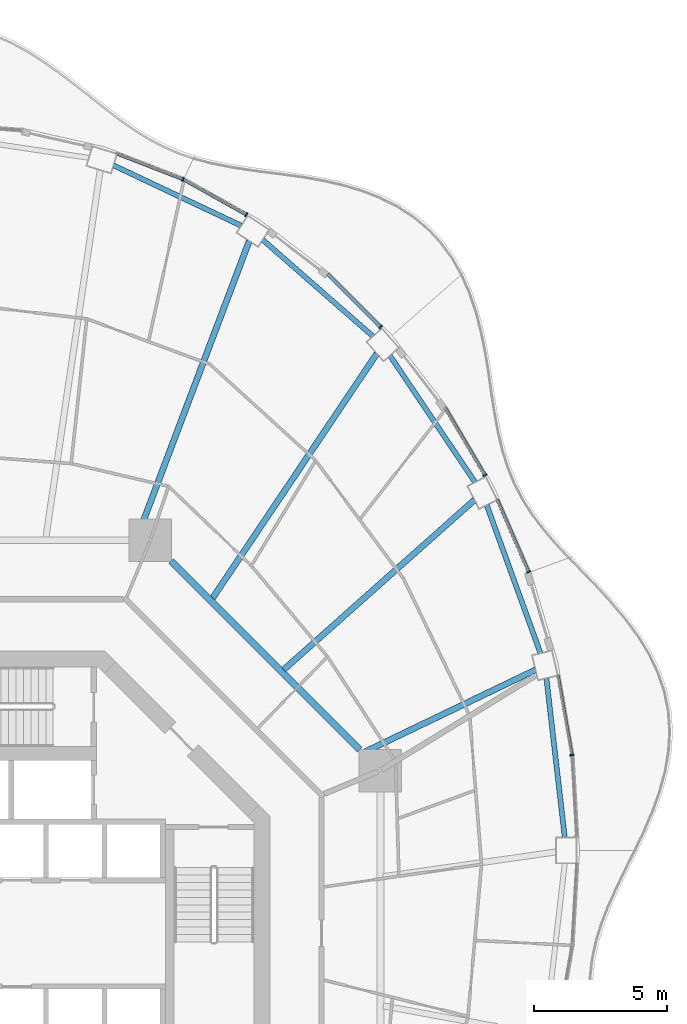
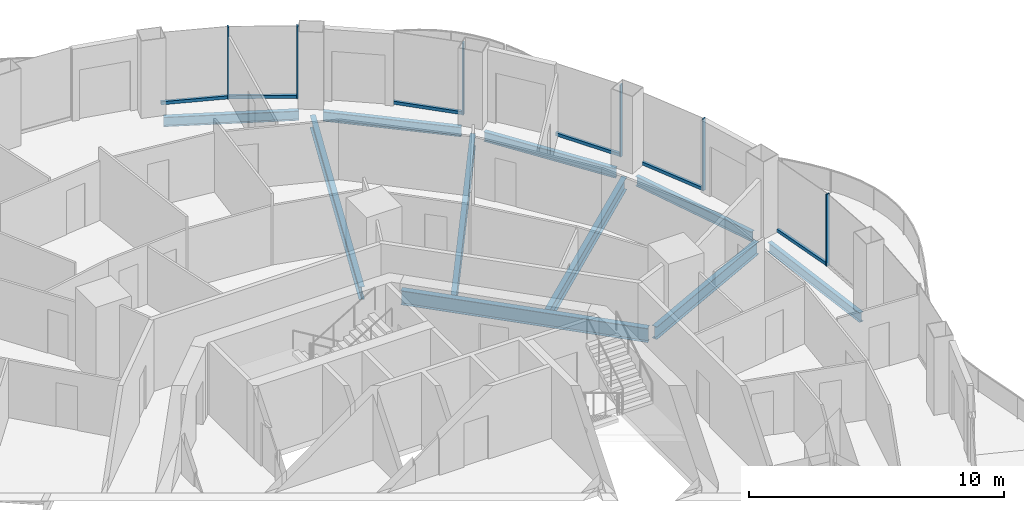
# One storey, part 7 of 18: 12 members, 10 beams, 6 elements without a shape of their own.
"""IFC4 building model written with IfcOpenShell, lengths in metres."""

from ifc_helpers import new_model, si_unit, direction, frame, origin, origin_2d, place, context, subcontext, project, spatial, rectangle, i_section, extrude, material, layer, layer_set, material_profile, profile_set, type_object, element, aggregate, save


model = new_model("IFC4")

# Units and contexts
model_context = context("Model", 3, precision=1e-05, world=origin(), true_north=direction((0.0, 1.0)))
body_context = subcontext(model_context, "Body", "Model", "MODEL_VIEW")
ifc_project = project(units=[si_unit("LENGTHUNIT", "METRE"), si_unit("AREAUNIT", "SQUARE_METRE"), si_unit("VOLUMEUNIT", "CUBIC_METRE"), si_unit("PLANEANGLEUNIT", "RADIAN"), si_unit("MASSUNIT", "GRAM", prefix="KILO")], contexts=[model_context])

# Site, building, storey
site_placement = place(None, origin())
site = spatial("IfcSite", under=ifc_project, at=site_placement, CompositionType="ELEMENT")
building_placement = place(site_placement, origin())
building = spatial("IfcBuilding", under=site, at=building_placement, Name="Nagisa Residences", CompositionType="ELEMENT")
storey_placement = place(building_placement, frame((0.0, 0.0, 234.39990234375)))
storey = spatial("IfcBuildingStorey", under=building, at=storey_placement, Name="L59", CompositionType="ELEMENT", Elevation=234.39990234375)

# Curtain wall, member
ifc_material_1 = material(Name="Concrete-coloured aluminium curtain wall system", Category="concrete")
ifc_layer = layer(ifc_material_1, 0.159912109375)
ifc_layer_set = layer_set([ifc_layer], Name="CW1 CURTAIN WALL")
curtain_wall_type = type_object("IfcCurtainWallType", Name="CW1 CURTAIN WALL", PredefinedType="NOTDEFINED", material=ifc_layer_set)
curtain_wall_1_placement = place(storey_placement, origin())
curtain_wall_1 = element("IfcCurtainWall", 1, at=curtain_wall_1_placement, inside=storey, type_object=curtain_wall_type, Name="cw:CW1:L59:01", PredefinedType="NOTDEFINED")
ifc_material_2 = material(Name="Concrete-coloured aluminium", Category="concrete")
ifc_material_profile_1 = material_profile(ifc_material_2, rectangle(XDim=0.159912109375, YDim=0.06005859375, at=origin_2d()), Name="CW1 MULLION 160x60")
ifc_profile_set_1 = profile_set([ifc_material_profile_1], Name="Concrete-coloured aluminium")
member_type_1 = type_object("IfcMemberType", Name="CW1 MULLION 160x60", PredefinedType="MULLION", material=ifc_profile_set_1)
member_1_placement = place(storey_placement, frame((21.980224609375, 6.70849609375, 0.0), z_axis=(0.0, 0.0, 1.0), x_axis=(-0.985063604377, -0.172190868898, 0.0)))
member_1 = element("IfcMember", 2, at=member_1_placement, type_object=member_type_1, Name="CW1 mullion", PredefinedType="MULLION", context=body_context, shape_type="SweptSolid", body=[
    extrude(rectangle(XDim=0.159912109375, YDim=0.06005859375, at=origin_2d()), origin(), (0.0, 0.0, 1.0), 3.440185546875),
])

curtain_wall_2_placement = place(storey_placement, origin())
curtain_wall_2 = element("IfcCurtainWall", 3, at=curtain_wall_2_placement, inside=storey, type_object=curtain_wall_type, Name="cw:CW1:L59:03", PredefinedType="NOTDEFINED")
member_2_placement = place(storey_placement, frame((20.3525390625, 13.59521484375, 0.0), z_axis=(0.0, 0.0, 1.0), x_axis=(-0.917543276295, -0.397635934147, 0.0)))
member_2 = element("IfcMember", 4, at=member_2_placement, type_object=member_type_1, Name="CW1 mullion", PredefinedType="MULLION", context=body_context, shape_type="SweptSolid", body=[
    extrude(rectangle(XDim=0.159912109375, YDim=0.06005859375, at=origin_2d()), origin(), (0.0, 0.0, 1.0), 3.440185546875),
])

curtain_wall_3_placement = place(storey_placement, origin())
curtain_wall_3 = element("IfcCurtainWall", 5, at=curtain_wall_3_placement, inside=storey, type_object=curtain_wall_type, Name="cw:CW1:L59:04", PredefinedType="NOTDEFINED")
member_3_placement = place(storey_placement, frame((18.707763671875, 17.229248046875, 0.0), z_axis=(0.0, 0.0, 1.0), x_axis=(-0.862328898214, -0.506348567002, 0.0)))
member_3 = element("IfcMember", 6, at=member_3_placement, type_object=member_type_1, Name="CW1 mullion", PredefinedType="MULLION", context=body_context, shape_type="SweptSolid", body=[
    extrude(rectangle(XDim=0.159912109375, YDim=0.06005859375, at=origin_2d()), origin(), (0.0, 0.0, 1.0), 3.440185546875),
])

curtain_wall_4_placement = place(storey_placement, origin())
curtain_wall_4 = element("IfcCurtainWall", 7, at=curtain_wall_4_placement, inside=storey, type_object=curtain_wall_type, Name="cw:CW1:L59:06", PredefinedType="NOTDEFINED")
member_4_placement = place(storey_placement, frame((14.788330078125, 22.802978515625, 0.0), z_axis=(0.0, 0.0, 1.0), x_axis=(-0.706376885714, -0.707835924016, 0.0)))
member_4 = element("IfcMember", 8, at=member_4_placement, type_object=member_type_1, Name="CW1 mullion", PredefinedType="MULLION", context=body_context, shape_type="SweptSolid", body=[
    extrude(rectangle(XDim=0.159912109375, YDim=0.06005859375, at=origin_2d()), origin(), (0.0, 0.0, 1.0), 3.440185546875),
])

curtain_wall_5_placement = place(storey_placement, origin())
curtain_wall_5 = element("IfcCurtainWall", 9, at=curtain_wall_5_placement, inside=storey, type_object=curtain_wall_type, Name="cw:CW1:L59:08", PredefinedType="NOTDEFINED")
member_5_placement = place(storey_placement, frame((9.733642578125, 27.02783203125, 0.0), z_axis=(0.0, 0.0, 1.0), x_axis=(-0.489376918501, -0.872072377523, 0.0)))
member_5 = element("IfcMember", 10, at=member_5_placement, type_object=member_type_1, Name="CW1 mullion", PredefinedType="MULLION", context=body_context, shape_type="SweptSolid", body=[
    extrude(rectangle(XDim=0.159912109375, YDim=0.06005859375, at=origin_2d()), origin(), (0.0, 0.0, 1.0), 3.440185546875),
])

curtain_wall_6_placement = place(storey_placement, origin())
curtain_wall_6 = element("IfcCurtainWall", 11, at=curtain_wall_6_placement, inside=storey, type_object=curtain_wall_type, Name="cw:CW1:L59:09", PredefinedType="NOTDEFINED")
member_6_placement = place(storey_placement, frame((7.3544921875, 28.35888671875, 0.0), z_axis=(0.0, 0.0, 1.0), x_axis=(-0.360327770268, -0.932825759707, 0.0)))
member_6 = element("IfcMember", 12, at=member_6_placement, type_object=member_type_1, Name="CW1 mullion", PredefinedType="MULLION", context=body_context, shape_type="SweptSolid", body=[
    extrude(rectangle(XDim=0.159912109375, YDim=0.06005859375, at=origin_2d()), origin(), (0.0, 0.0, 1.0), 3.440185546875),
])

# Member
ifc_material_3 = material(Name="Concrete-coloured aluminium", Category="concrete")
ifc_material_profile_2 = material_profile(ifc_material_3, rectangle(XDim=0.1201171875, YDim=0.14990234375, at=origin_2d()), Name="CW1 TRANSOM 120x150")
ifc_profile_set_2 = profile_set([ifc_material_profile_2], Name="Concrete-coloured aluminium")
member_type_2 = type_object("IfcMemberType", Name="CW1 TRANSOM 120x150", PredefinedType="USERDEFINED", material=ifc_profile_set_2)
member_7_placement = place(storey_placement, frame((21.9853515625, 6.678955078125, 0.0751953125), z_axis=(-0.172241318156, 0.985054784426, 0.0), x_axis=(-0.985054784426, -0.172241318156, 0.0)))
member_7 = element("IfcMember", 13, at=member_7_placement, type_object=member_type_2, Name="CW1 transom", ObjectType="TRANSOM", PredefinedType="USERDEFINED", context=body_context, shape_type="SweptSolid", body=[
    extrude(rectangle(XDim=0.1201171875, YDim=0.14990234375, at=origin_2d()), origin(), (0.0, 0.0, 1.0), 3.0673828125),
])

aggregate(curtain_wall_1, [member_1, member_7])

member_8_placement = place(storey_placement, frame((20.3642578125, 13.567626953125, 0.0751953125), z_axis=(-0.397616567135, 0.917551669139, 0.0), x_axis=(-0.917551669139, -0.397616567135, 0.0)))
member_8 = element("IfcMember", 14, at=member_8_placement, type_object=member_type_2, Name="CW1 transom", ObjectType="TRANSOM", PredefinedType="USERDEFINED", context=body_context, shape_type="SweptSolid", body=[
    extrude(rectangle(XDim=0.1201171875, YDim=0.14990234375, at=origin_2d()), origin(), (0.0, 0.0, 1.0), 3.001953125),
])

aggregate(curtain_wall_2, [member_2, member_8])

member_9_placement = place(storey_placement, frame((18.72314453125, 17.203369140625, 0.0751953125), z_axis=(-0.5063555387, 0.862324804484, 0.0), x_axis=(-0.862324804484, -0.5063555387, 0.0)))
member_9 = element("IfcMember", 15, at=member_9_placement, type_object=member_type_2, Name="CW1 transom", ObjectType="TRANSOM", PredefinedType="USERDEFINED", context=body_context, shape_type="SweptSolid", body=[
    extrude(rectangle(XDim=0.1201171875, YDim=0.14990234375, at=origin_2d()), origin(), (0.0, 0.0, 1.0), 2.95458984375),
])

aggregate(curtain_wall_3, [member_3, member_9])

member_10_placement = place(storey_placement, frame((14.8095703125, 22.781982421875, 0.0751953125), z_axis=(-0.707836044127, 0.706376765356, 0.0), x_axis=(-0.706376765356, -0.707836044127, 0.0)))
member_10 = element("IfcMember", 16, at=member_10_placement, type_object=member_type_2, Name="CW1 transom", ObjectType="TRANSOM", PredefinedType="USERDEFINED", context=body_context, shape_type="SweptSolid", body=[
    extrude(rectangle(XDim=0.1201171875, YDim=0.14990234375, at=origin_2d()), origin(), (0.0, 0.0, 1.0), 2.84423828125),
])

aggregate(curtain_wall_4, [member_4, member_10])

member_11_placement = place(storey_placement, frame((9.759765625, 27.012939453125, 0.0751953125), z_axis=(-0.872041873719, 0.489431272479, 0.0), x_axis=(-0.489431272479, -0.872041873719, 0.0)))
member_11 = element("IfcMember", 17, at=member_11_placement, type_object=member_type_2, Name="CW1 transom", ObjectType="TRANSOM", PredefinedType="USERDEFINED", context=body_context, shape_type="SweptSolid", body=[
    extrude(rectangle(XDim=0.1201171875, YDim=0.14990234375, at=origin_2d()), origin(), (0.0, 0.0, 1.0), 2.738037109375),
])

aggregate(curtain_wall_5, [member_5, member_11])

member_12_placement = place(storey_placement, frame((7.38232421875, 28.34814453125, 0.0751953125), z_axis=(-0.932826499224, 0.360325855782, 0.0), x_axis=(-0.360325855782, -0.932826499224, 0.0)))
member_12 = element("IfcMember", 18, at=member_12_placement, type_object=member_type_2, Name="CW1 transom", ObjectType="TRANSOM", PredefinedType="USERDEFINED", context=body_context, shape_type="SweptSolid", body=[
    extrude(rectangle(XDim=0.1201171875, YDim=0.14990234375, at=origin_2d()), origin(), (0.0, 0.0, 1.0), 2.696044921875),
])

aggregate(curtain_wall_6, [member_6, member_12])

# Beams
ifc_material_4 = material(Name="Steel ASTM A572 Gr 50", Category="steel")
ifc_material_profile_3 = material_profile(ifc_material_4, i_section(OverallWidth=0.2529296875, OverallDepth=0.677978515625, WebThickness=0.01171875, FlangeThickness=0.016357421875, at=origin_2d()), Name="W690x125")
ifc_profile_set_3 = profile_set([ifc_material_profile_3], Name="Steel ASTM A572 Gr 50")
beam_type_1 = type_object("IfcBeamType", Name="Inner ring beam W690x125", PredefinedType="BEAM", material=ifc_profile_set_3)
beam_1_placement = place(storey_placement, frame((13.99609375, 6.90869140625, -0.598876953125), z_axis=(-0.707106781187, 0.707106781187, 0.0), x_axis=(-0.707106781187, -0.707106781187, 0.0)))
element("IfcBeam", 19, at=beam_1_placement, inside=storey, type_object=beam_type_1, Name="beam:L59:ib1", PredefinedType="BEAM", context=body_context, shape_type="SweptSolid", body=[
    extrude(i_section(OverallWidth=0.2529296875, OverallDepth=0.677978515625, WebThickness=0.01171875, FlangeThickness=0.016357421875, at=origin_2d()), origin(), (0.0, 0.0, 1.0), 10.023193359375),
])
ifc_material_5 = material(Name="Steel ASTM A572 Gr 50", Category="steel")
ifc_material_profile_4 = material_profile(ifc_material_5, i_section(OverallWidth=0.18994140625, OverallDepth=0.45703125, WebThickness=0.009033203125, FlangeThickness=0.014404296875, at=origin_2d()), Name="W460x74")
ifc_profile_set_4 = profile_set([ifc_material_profile_4], Name="Steel ASTM A572 Gr 50")
beam_type_2 = type_object("IfcBeamType", Name="Perimeter ring beam W460x74", PredefinedType="BEAM", material=ifc_profile_set_4)
beam_2_placement = place(storey_placement, frame((21.714599609375, 3.597900390625, -0.48828125), z_axis=(-0.114650193512, 0.993405925656, 0.0), x_axis=(-0.993405925656, -0.114650193512, 0.0)))
element("IfcBeam", 20, at=beam_2_placement, inside=storey, type_object=beam_type_2, Name="beam:L59:pb01", PredefinedType="BEAM", context=body_context, shape_type="SweptSolid", body=[
    extrude(i_section(OverallWidth=0.18994140625, OverallDepth=0.45703125, WebThickness=0.009033203125, FlangeThickness=0.014404296875, at=origin_2d()), origin(), (0.0, 0.0, 1.0), 6.0390625),
])
beam_3_placement = place(storey_placement, frame((20.802001953125, 10.53173828125, -0.48828125), z_axis=(-0.34127712749, 0.939962723863, 0.0), x_axis=(-0.939962723863, -0.34127712749, 0.0)))
element("IfcBeam", 21, at=beam_3_placement, inside=storey, type_object=beam_type_2, Name="beam:L59:pb02", PredefinedType="BEAM", context=body_context, shape_type="SweptSolid", body=[
    extrude(i_section(OverallWidth=0.18994140625, OverallDepth=0.45703125, WebThickness=0.009033203125, FlangeThickness=0.014404296875, at=origin_2d()), origin(), (0.0, 0.0, 1.0), 5.9326171875),
])
beam_4_placement = place(storey_placement, frame((18.34228515625, 16.964111328125, -0.48828125), z_axis=(-0.558109119402, 0.829767564345, 0.0), x_axis=(-0.829767564345, -0.558109119402, 0.0)))
element("IfcBeam", 22, at=beam_4_placement, inside=storey, type_object=beam_type_2, Name="beam:L59:pb03", PredefinedType="BEAM", context=body_context, shape_type="SweptSolid", body=[
    extrude(i_section(OverallWidth=0.18994140625, OverallDepth=0.45703125, WebThickness=0.009033203125, FlangeThickness=0.014404296875, at=origin_2d()), origin(), (0.0, 0.0, 1.0), 5.74365234375),
])
beam_5_placement = place(storey_placement, frame((14.502197265625, 22.45068359375, -0.48828125), z_axis=(-0.75242320672, 0.65867998147, 0.0), x_axis=(-0.65867998147, -0.75242320672, 0.0)))
element("IfcBeam", 23, at=beam_5_placement, inside=storey, type_object=beam_type_2, Name="beam:L59:pb04", PredefinedType="BEAM", context=body_context, shape_type="SweptSolid", body=[
    extrude(i_section(OverallWidth=0.18994140625, OverallDepth=0.45703125, WebThickness=0.009033203125, FlangeThickness=0.014404296875, at=origin_2d()), origin(), (0.0, 0.0, 1.0), 5.5185546875),
])
beam_6_placement = place(storey_placement, frame((9.546630859375, 26.6123046875, -0.48828125), z_axis=(-0.904133867308, 0.42724928319, 0.0), x_axis=(-0.42724928319, -0.904133867308, 0.0)))
element("IfcBeam", 24, at=beam_6_placement, inside=storey, type_object=beam_type_2, Name="beam:L59:pb05", PredefinedType="BEAM", context=body_context, shape_type="SweptSolid", body=[
    extrude(i_section(OverallWidth=0.18994140625, OverallDepth=0.45703125, WebThickness=0.009033203125, FlangeThickness=0.014404296875, at=origin_2d()), origin(), (0.0, 0.0, 1.0), 5.317138671875),
])
ifc_material_6 = material(Name="Steel ASTM A572 Gr 50", Category="steel")
ifc_material_profile_5 = material_profile(ifc_material_6, i_section(OverallWidth=0.22802734375, OverallDepth=0.60302734375, WebThickness=0.010498046875, FlangeThickness=0.014892578125, at=origin_2d()), Name="W610x101")
ifc_profile_set_5 = profile_set([ifc_material_profile_5], Name="Steel ASTM A572 Gr 50")
beam_type_3 = type_object("IfcBeamType", Name="Radial beam W610x101", PredefinedType="BEAM", material=ifc_profile_set_5)
beam_7_placement = place(storey_placement, frame((20.61572265625, 9.90869140625, -0.5615234375), z_axis=(-0.901297388138, -0.433200898124, 0.0), x_axis=(0.433200898124, -0.901297388138, 0.0)))
element("IfcBeam", 25, at=beam_7_placement, inside=storey, type_object=beam_type_3, Name="beam:L59:rb02", PredefinedType="BEAM", context=body_context, shape_type="SweptSolid", body=[
    extrude(i_section(OverallWidth=0.22802734375, OverallDepth=0.60302734375, WebThickness=0.010498046875, FlangeThickness=0.014892578125, at=origin_2d()), origin(), (0.0, 0.0, 1.0), 7.09423828125),
])
beam_8_placement = place(storey_placement, frame((18.318115234375, 16.301025390625, -0.5615234375), z_axis=(-0.747027831774, -0.664792763615, 0.0), x_axis=(0.664792763615, -0.747027831774, 0.0)))
element("IfcBeam", 26, at=beam_8_placement, inside=storey, type_object=beam_type_3, Name="beam:L59:rb03", PredefinedType="BEAM", context=body_context, shape_type="SweptSolid", body=[
    extrude(i_section(OverallWidth=0.22802734375, OverallDepth=0.60302734375, WebThickness=0.010498046875, FlangeThickness=0.014892578125, at=origin_2d()), origin(), (0.0, 0.0, 1.0), 9.607177734375),
])
beam_9_placement = place(storey_placement, frame((14.64697265625, 21.804931640625, -0.5615234375), z_axis=(-0.557606656779, -0.830105304354, 0.0), x_axis=(0.830105304354, -0.557606656779, 0.0)))
element("IfcBeam", 27, at=beam_9_placement, inside=storey, type_object=beam_type_3, Name="beam:L59:rb04", PredefinedType="BEAM", context=body_context, shape_type="SweptSolid", body=[
    extrude(i_section(OverallWidth=0.22802734375, OverallDepth=0.60302734375, WebThickness=0.010498046875, FlangeThickness=0.014892578125, at=origin_2d()), origin(), (0.0, 0.0, 1.0), 11.09423828125),
])
beam_10_placement = place(storey_placement, frame((9.84716796875, 26.04052734375, -0.5615234375), z_axis=(-0.353700839295, -0.935358603041, 0.0), x_axis=(0.935358603041, -0.353700839295, 0.0)))
element("IfcBeam", 28, at=beam_10_placement, inside=storey, type_object=beam_type_3, Name="beam:L59:rb05", PredefinedType="BEAM", context=body_context, shape_type="SweptSolid", body=[
    extrude(i_section(OverallWidth=0.22802734375, OverallDepth=0.60302734375, WebThickness=0.010498046875, FlangeThickness=0.014892578125, at=origin_2d()), origin(), (0.0, 0.0, 1.0), 11.921142578125),
])

save(model, "model.ifc")
